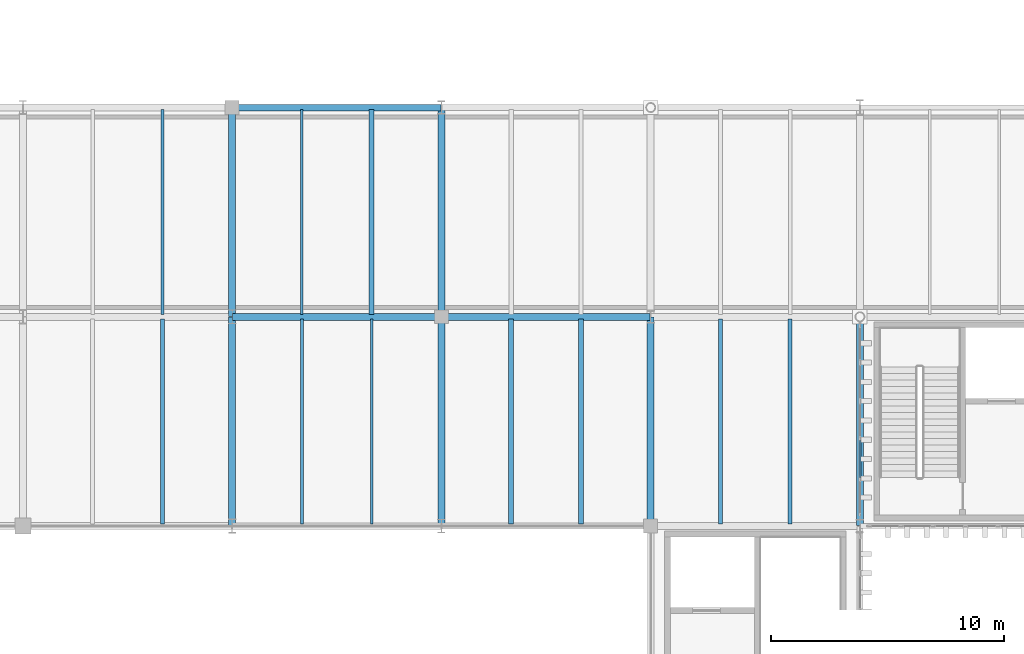
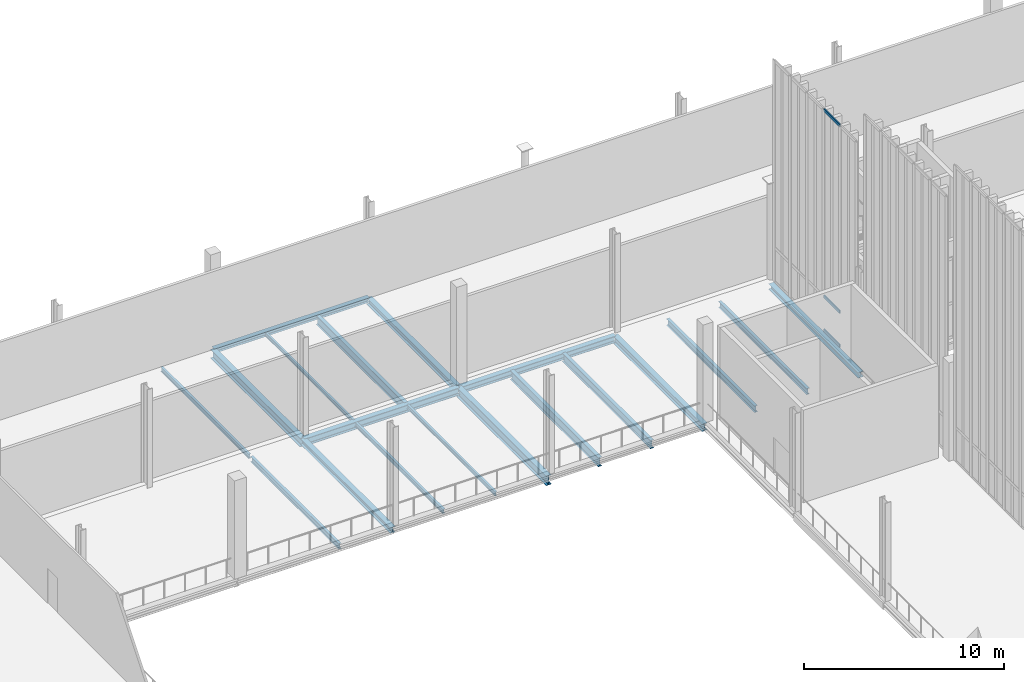
# One storey, part 71 of 237: 19 beams, 3 members, 1 element without a shape of its own.
"""IFC4 building model written with IfcOpenShell, lengths in metres."""

from ifc_helpers import new_model, si_unit, direction, frame, origin, origin_2d, place, context, subcontext, project, spatial, hollow_rectangle, i_section, extrude, material, layer, layer_set, material_profile, profile_set, type_object, element, aggregate, save


model = new_model("IFC4")

# Units and contexts
model_context = context("Model", 3, precision=1e-05, world=origin(), true_north=direction((0.0, 1.0)))
body_context = subcontext(model_context, "Body", "Model", "MODEL_VIEW")
ifc_project = project(units=[si_unit("LENGTHUNIT", "METRE"), si_unit("AREAUNIT", "SQUARE_METRE"), si_unit("VOLUMEUNIT", "CUBIC_METRE"), si_unit("PLANEANGLEUNIT", "RADIAN"), si_unit("MASSUNIT", "GRAM", prefix="KILO")], contexts=[model_context])

# Site, building, storey
site_placement = place(None, origin())
site = spatial("IfcSite", under=ifc_project, at=site_placement, CompositionType="ELEMENT")
building_placement = place(site_placement, origin())
building = spatial("IfcBuilding", under=site, at=building_placement, Name="Barlavento Convention Centre", CompositionType="ELEMENT")
storey_placement = place(building_placement, frame((0.0, 0.0, 12.0)))
storey = spatial("IfcBuildingStorey", under=building, at=storey_placement, Name="L02", CompositionType="ELEMENT", Elevation=12.0)

# Curtain wall, members
ifc_material_1 = material(Name="Powder-coated aluminium and Low-E glass", Category="aluminium")
ifc_layer = layer(ifc_material_1, 0.18994140625)
ifc_layer_set = layer_set([ifc_layer], Name="ARC-CW-CONG-L02")
curtain_wall_type = type_object("IfcCurtainWallType", Name="ARC-CW-CONG-L02", PredefinedType="NOTDEFINED", material=ifc_layer_set)
curtain_wall_placement = place(storey_placement, origin())
curtain_wall = element("IfcCurtainWall", 1, at=curtain_wall_placement, inside=storey, type_object=curtain_wall_type, Name="L02 unitised curtain wall CW02", PredefinedType="NOTDEFINED")
ifc_material_2 = material(Name="Powder-coated aluminium", Category="aluminium")
ifc_material_profile_1 = material_profile(ifc_material_2, hollow_rectangle(XDim=0.070068359375, YDim=0.179931640625, WallThickness=0.0048828125, at=origin_2d()), Name="AL-TRAN 70x180x5")
ifc_profile_set_1 = profile_set([ifc_material_profile_1], Name="Powder-coated aluminium")
member_type = type_object("IfcMemberType", Name="ARC-CWT-70X180", PredefinedType="USERDEFINED", material=ifc_profile_set_1)
member_1_placement = place(storey_placement, frame((63.0, 47.088623046875, 0.034912109375), z_axis=(0.0, 1.0, 0.0), x_axis=(-1.0, 0.0, 0.0)))
member_1 = element("IfcMember", 2, at=member_1_placement, type_object=member_type, Name="CW02 transom 2.1", ObjectType="TRANSOM", PredefinedType="USERDEFINED", context=body_context, shape_type="SweptSolid", body=[
    extrude(hollow_rectangle(XDim=0.070068359375, YDim=0.179931640625, WallThickness=0.0048828125, at=origin_2d()), origin(), (0.0, 0.0, 1.0), 1.585205078125),
])
member_2_placement = place(storey_placement, frame((63.0, 47.088623046875, 2.10009765625), z_axis=(0.0, 1.0, 0.0), x_axis=(-1.0, 0.0, 0.0)))
member_2 = element("IfcMember", 3, at=member_2_placement, type_object=member_type, Name="CW02 transom 2.2", ObjectType="TRANSOM", PredefinedType="USERDEFINED", context=body_context, shape_type="SweptSolid", body=[
    extrude(hollow_rectangle(XDim=0.070068359375, YDim=0.179931640625, WallThickness=0.0048828125, at=origin_2d()), origin(), (0.0, 0.0, 1.0), 1.585205078125),
])
member_3_placement = place(storey_placement, frame((63.0, 47.088623046875, 13.468017578125), z_axis=(0.0, 1.0, 0.0), x_axis=(-1.0, 0.0, 0.0)))
member_3 = element("IfcMember", 4, at=member_3_placement, type_object=member_type, Name="CW02 transom 2.3", ObjectType="TRANSOM", PredefinedType="USERDEFINED", context=body_context, shape_type="SweptSolid", body=[
    extrude(hollow_rectangle(XDim=0.070068359375, YDim=0.179931640625, WallThickness=0.0048828125, at=origin_2d()), origin(), (0.0, 0.0, 1.0), 1.585205078125),
])
aggregate(curtain_wall, [member_1, member_2, member_3])

# Beams
ifc_material_3 = material(Name="Steel S355", Category="steel")
ifc_material_profile_2 = material_profile(ifc_material_3, i_section(OverallWidth=0.110107421875, OverallDepth=0.219970703125, WebThickness=0.005859375, FlangeThickness=0.00927734375, FilletRadius=0.011962890625, at=origin_2d()), Name="IPE 220")
ifc_profile_set_2 = profile_set([ifc_material_profile_2], Name="Steel S355")
beam_type_1 = type_object("IfcBeamType", Name="STR-BM-JST-IPE220", PredefinedType="JOIST", material=ifc_profile_set_2)
beam_1_placement = place(storey_placement, frame((39.0, 54.094970703125, -0.409912109375), z_axis=(0.0, 1.0, 0.0), x_axis=(-1.0, 0.0, 0.0)))
element("IfcBeam", 5, at=beam_1_placement, inside=storey, type_object=beam_type_1, Name="L02 composite floor joist SJ10", PredefinedType="JOIST", context=body_context, shape_type="SweptSolid", body=[
    extrude(i_section(OverallWidth=0.110107421875, OverallDepth=0.219970703125, WebThickness=0.005859375, FlangeThickness=0.00927734375, FilletRadius=0.011962890625, at=origin_2d()), origin(), (0.0, 0.0, 1.0), 8.81005859375),
])
ifc_material_profile_3 = material_profile(ifc_material_3, i_section(OverallWidth=0.1201171875, OverallDepth=0.239990234375, WebThickness=0.006103515625, FlangeThickness=0.009765625, FilletRadius=0.014892578125, at=origin_2d()), Name="IPE 240")
ifc_profile_set_3 = profile_set([ifc_material_profile_3], Name="Steel S355")
beam_type_2 = type_object("IfcBeamType", Name="STR-BM-JST-IPE240", PredefinedType="JOIST", material=ifc_profile_set_3)
beam_2_placement = place(storey_placement, frame((42.0, 45.094970703125, -0.419921875), z_axis=(0.0, 1.0, 0.0), x_axis=(-1.0, 0.0, 0.0)))
element("IfcBeam", 6, at=beam_2_placement, inside=storey, type_object=beam_type_2, Name="L02 composite floor joist SJ09", PredefinedType="JOIST", context=body_context, shape_type="SweptSolid", body=[
    extrude(i_section(OverallWidth=0.1201171875, OverallDepth=0.239990234375, WebThickness=0.006103515625, FlangeThickness=0.009765625, FilletRadius=0.014892578125, at=origin_2d()), origin(), (0.0, 0.0, 1.0), 8.81005859375),
])
ifc_material_profile_4 = material_profile(ifc_material_3, i_section(OverallWidth=0.135009765625, OverallDepth=0.27001953125, WebThickness=0.006591796875, FlangeThickness=0.01025390625, FilletRadius=0.014892578125, at=origin_2d()), Name="IPE 270")
ifc_profile_set_4 = profile_set([ifc_material_profile_4], Name="Steel S355")
beam_type_3 = type_object("IfcBeamType", Name="STR-BM-JST-IPE270", PredefinedType="JOIST", material=ifc_profile_set_4)
for number, where, z_axis, x_axis, name in (
    (7, (39.0, 45.094970703125, -0.43505859375), (0.0, 1.0, 0.0), (-1.0, 0.0, 0.0), "L02 composite floor joist SJ08"),
    (8, (33.0, 54.094970703125, -0.43505859375), (0.0, 1.0, 0.0), (-1.0, 0.0, 0.0), "L02 composite floor joist SJ08"),
):
    element("IfcBeam", number, at=place(storey_placement, frame(where, z_axis=z_axis, x_axis=x_axis)), inside=storey, type_object=beam_type_3, Name=name, PredefinedType="JOIST", context=body_context, shape_type="SweptSolid", body=[
        extrude(i_section(OverallWidth=0.135009765625, OverallDepth=0.27001953125, WebThickness=0.006591796875, FlangeThickness=0.01025390625, FilletRadius=0.014892578125, at=origin_2d()), origin(), (0.0, 0.0, 1.0), 8.81005859375),
    ])
ifc_material_profile_5 = material_profile(ifc_material_3, i_section(OverallWidth=0.159912109375, OverallDepth=0.330078125, WebThickness=0.007568359375, FlangeThickness=0.011474609375, FilletRadius=0.01806640625, at=origin_2d()), Name="IPE 330")
ifc_profile_set_5 = profile_set([ifc_material_profile_5], Name="Steel S355")
beam_type_4 = type_object("IfcBeamType", Name="STR-BM-JST-IPE330", PredefinedType="JOIST", material=ifc_profile_set_5)
beam_3_placement = place(storey_placement, frame((33.0, 45.094970703125, -0.465087890625), z_axis=(0.0, 1.0, 0.0), x_axis=(-1.0, 0.0, 0.0)))
element("IfcBeam", 9, at=beam_3_placement, inside=storey, type_object=beam_type_4, Name="L02 composite floor joist SJ06", PredefinedType="JOIST", context=body_context, shape_type="SweptSolid", body=[
    extrude(i_section(OverallWidth=0.159912109375, OverallDepth=0.330078125, WebThickness=0.007568359375, FlangeThickness=0.011474609375, FilletRadius=0.01806640625, at=origin_2d()), origin(), (0.0, 0.0, 1.0), 8.81005859375),
])
ifc_material_profile_6 = material_profile(ifc_material_3, i_section(OverallWidth=0.169921875, OverallDepth=0.360107421875, WebThickness=0.008056640625, FlangeThickness=0.0126953125, FilletRadius=0.01806640625, at=origin_2d()), Name="IPE 360")
ifc_profile_set_6 = profile_set([ifc_material_profile_6], Name="Steel S355")
beam_type_5 = type_object("IfcBeamType", Name="STR-BM-JST-IPE360", PredefinedType="JOIST", material=ifc_profile_set_6)
beam_4_placement = place(storey_placement, frame((60.0, 45.094970703125, -0.47998046875), z_axis=(0.0, 1.0, 0.0), x_axis=(-1.0, 0.0, 0.0)))
element("IfcBeam", 10, at=beam_4_placement, inside=storey, type_object=beam_type_5, Name="L02 composite floor joist SJ05", PredefinedType="JOIST", context=body_context, shape_type="SweptSolid", body=[
    extrude(i_section(OverallWidth=0.169921875, OverallDepth=0.360107421875, WebThickness=0.008056640625, FlangeThickness=0.0126953125, FilletRadius=0.01806640625, at=origin_2d()), origin(), (0.0, 0.0, 1.0), 8.81005859375),
])
ifc_material_profile_7 = material_profile(ifc_material_3, i_section(OverallWidth=0.179931640625, OverallDepth=0.39990234375, WebThickness=0.008544921875, FlangeThickness=0.013427734375, FilletRadius=0.02099609375, at=origin_2d()), Name="IPE 400")
ifc_profile_set_7 = profile_set([ifc_material_profile_7], Name="Steel S355")
beam_type_6 = type_object("IfcBeamType", Name="STR-BM-JST-IPE400", PredefinedType="JOIST", material=ifc_profile_set_7)
beam_5_placement = place(storey_placement, frame((57.0, 45.094970703125, -0.5), z_axis=(0.0, 1.0, 0.0), x_axis=(-1.0, 0.0, 0.0)))
element("IfcBeam", 11, at=beam_5_placement, inside=storey, type_object=beam_type_6, Name="L02 composite floor joist SJ04", PredefinedType="JOIST", context=body_context, shape_type="SweptSolid", body=[
    extrude(i_section(OverallWidth=0.179931640625, OverallDepth=0.39990234375, WebThickness=0.008544921875, FlangeThickness=0.013427734375, FilletRadius=0.02099609375, at=origin_2d()), origin(), (0.0, 0.0, 1.0), 8.81005859375),
])
ifc_material_profile_8 = material_profile(ifc_material_3, i_section(OverallWidth=0.199951171875, OverallDepth=0.5, WebThickness=0.01025390625, FlangeThickness=0.01611328125, FilletRadius=0.02099609375, at=origin_2d()), Name="IPE 500")
ifc_profile_set_8 = profile_set([ifc_material_profile_8], Name="Steel S355")
beam_type_7 = type_object("IfcBeamType", Name="STR-BM-JST-IPE500", PredefinedType="JOIST", material=ifc_profile_set_8)
beam_6_placement = place(storey_placement, frame((51.0, 45.094970703125, -0.550048828125), z_axis=(0.0, 1.0, 0.0), x_axis=(-1.0, 0.0, 0.0)))
element("IfcBeam", 12, at=beam_6_placement, inside=storey, type_object=beam_type_7, Name="L02 composite floor joist SJ02", PredefinedType="JOIST", context=body_context, shape_type="SweptSolid", body=[
    extrude(i_section(OverallWidth=0.199951171875, OverallDepth=0.5, WebThickness=0.01025390625, FlangeThickness=0.01611328125, FilletRadius=0.02099609375, at=origin_2d()), origin(), (0.0, 0.0, 1.0), 8.81005859375),
])
ifc_material_profile_9 = material_profile(ifc_material_3, i_section(OverallWidth=0.2099609375, OverallDepth=0.550048828125, WebThickness=0.010986328125, FlangeThickness=0.01708984375, FilletRadius=0.02392578125, at=origin_2d()), Name="IPE 550")
ifc_profile_set_9 = profile_set([ifc_material_profile_9], Name="Steel S355")
beam_type_8 = type_object("IfcBeamType", Name="STR-BM-JST-IPE550", PredefinedType="JOIST", material=ifc_profile_set_9)
for number, where, z_axis, x_axis, name in (
    (13, (48.0, 45.094970703125, -0.574951171875), (0.0, 1.0, 0.0), (-1.0, 0.0, 0.0), "L02 composite floor joist SJ01"),
    (14, (42.0, 54.094970703125, -0.574951171875), (0.0, 1.0, 0.0), (-1.0, 0.0, 0.0), "L02 composite floor joist SJ01"),
):
    element("IfcBeam", number, at=place(storey_placement, frame(where, z_axis=z_axis, x_axis=x_axis)), inside=storey, type_object=beam_type_8, Name=name, PredefinedType="JOIST", context=body_context, shape_type="SweptSolid", body=[
        extrude(i_section(OverallWidth=0.2099609375, OverallDepth=0.550048828125, WebThickness=0.010986328125, FlangeThickness=0.01708984375, FilletRadius=0.02392578125, at=origin_2d()), origin(), (0.0, 0.0, 1.0), 8.81005859375),
    ])
ifc_material_profile_10 = material_profile(ifc_material_3, i_section(OverallWidth=0.300048828125, OverallDepth=0.330078125, WebThickness=0.009521484375, FlangeThickness=0.0166015625, FilletRadius=0.027099609375, at=origin_2d()), Name="HEA 340")
ifc_profile_set_10 = profile_set([ifc_material_profile_10], Name="Steel S355")
beam_type_9 = type_object("IfcBeamType", Name="STR-BM-PRI-HEA340", PredefinedType="BEAM", material=ifc_profile_set_10)
beam_7_placement = place(storey_placement, frame((63.0, 45.02001953125, -0.465087890625), z_axis=(0.0, 1.0, 0.0), x_axis=(-1.0, 0.0, 0.0)))
element("IfcBeam", 15, at=beam_7_placement, inside=storey, type_object=beam_type_9, Name="L02 grid girder BG24", PredefinedType="BEAM", context=body_context, shape_type="SweptSolid", body=[
    extrude(i_section(OverallWidth=0.300048828125, OverallDepth=0.330078125, WebThickness=0.009521484375, FlangeThickness=0.0166015625, FilletRadius=0.027099609375, at=origin_2d()), origin(), (0.0, 0.0, 1.0), 8.9599609375),
])
ifc_material_profile_11 = material_profile(ifc_material_3, i_section(OverallWidth=0.300048828125, OverallDepth=0.35009765625, WebThickness=0.010009765625, FlangeThickness=0.017578125, FilletRadius=0.027099609375, at=origin_2d()), Name="HEA 360")
ifc_profile_set_11 = profile_set([ifc_material_profile_11], Name="Steel S355")
beam_type_10 = type_object("IfcBeamType", Name="STR-BM-PRI-HEA360", PredefinedType="BEAM", material=ifc_profile_set_11)
beam_8_placement = place(storey_placement, frame((36.0, 45.02001953125, -0.47509765625), z_axis=(0.0, 1.0, 0.0), x_axis=(-1.0, 0.0, 0.0)))
element("IfcBeam", 16, at=beam_8_placement, inside=storey, type_object=beam_type_10, Name="L02 grid girder BG23", PredefinedType="BEAM", context=body_context, shape_type="SweptSolid", body=[
    extrude(i_section(OverallWidth=0.300048828125, OverallDepth=0.35009765625, WebThickness=0.010009765625, FlangeThickness=0.017578125, FilletRadius=0.027099609375, at=origin_2d()), origin(), (0.0, 0.0, 1.0), 8.9599609375),
])
ifc_material_profile_12 = material_profile(ifc_material_3, i_section(OverallWidth=0.300048828125, OverallDepth=0.389892578125, WebThickness=0.010986328125, FlangeThickness=0.01904296875, FilletRadius=0.027099609375, at=origin_2d()), Name="HEA 400")
ifc_profile_set_12 = profile_set([ifc_material_profile_12], Name="Steel S355")
beam_type_11 = type_object("IfcBeamType", Name="STR-BM-PRI-HEA400", PredefinedType="BEAM", material=ifc_profile_set_12)
beam_9_placement = place(storey_placement, frame((45.0, 54.02001953125, -0.4951171875), z_axis=(0.0, 1.0, 0.0), x_axis=(-1.0, 0.0, 0.0)))
element("IfcBeam", 17, at=beam_9_placement, inside=storey, type_object=beam_type_11, Name="L02 grid girder BG22", PredefinedType="BEAM", context=body_context, shape_type="SweptSolid", body=[
    extrude(i_section(OverallWidth=0.300048828125, OverallDepth=0.389892578125, WebThickness=0.010986328125, FlangeThickness=0.01904296875, FilletRadius=0.027099609375, at=origin_2d()), origin(), (0.0, 0.0, 1.0), 8.9599609375),
])
ifc_material_profile_13 = material_profile(ifc_material_3, i_section(OverallWidth=0.300048828125, OverallDepth=0.43994140625, WebThickness=0.011474609375, FlangeThickness=0.02099609375, FilletRadius=0.027099609375, at=origin_2d()), Name="HEA 450")
ifc_profile_set_13 = profile_set([ifc_material_profile_13], Name="Steel S355")
beam_type_12 = type_object("IfcBeamType", Name="STR-BM-PRI-HEA450", PredefinedType="BEAM", material=ifc_profile_set_13)
beam_10_placement = place(storey_placement, frame((54.0, 45.02001953125, -0.52001953125), z_axis=(0.0, 1.0, 0.0), x_axis=(-1.0, 0.0, 0.0)))
element("IfcBeam", 18, at=beam_10_placement, inside=storey, type_object=beam_type_12, Name="L02 grid girder BG21", PredefinedType="BEAM", context=body_context, shape_type="SweptSolid", body=[
    extrude(i_section(OverallWidth=0.300048828125, OverallDepth=0.43994140625, WebThickness=0.011474609375, FlangeThickness=0.02099609375, FilletRadius=0.027099609375, at=origin_2d()), origin(), (0.0, 0.0, 1.0), 8.9599609375),
])
ifc_material_profile_14 = material_profile(ifc_material_3, i_section(OverallWidth=0.300048828125, OverallDepth=0.5400390625, WebThickness=0.012451171875, FlangeThickness=0.02392578125, FilletRadius=0.027099609375, at=origin_2d()), Name="HEA 550")
ifc_profile_set_14 = profile_set([ifc_material_profile_14], Name="Steel S355")
beam_type_13 = type_object("IfcBeamType", Name="STR-BM-PRI-HEA550", PredefinedType="BEAM", material=ifc_profile_set_14)
beam_11_placement = place(storey_placement, frame((36.0, 54.02001953125, -0.570068359375), z_axis=(0.0, 1.0, 0.0), x_axis=(-1.0, 0.0, 0.0)))
element("IfcBeam", 19, at=beam_11_placement, inside=storey, type_object=beam_type_13, Name="L02 grid girder BG19", PredefinedType="BEAM", context=body_context, shape_type="SweptSolid", body=[
    extrude(i_section(OverallWidth=0.300048828125, OverallDepth=0.5400390625, WebThickness=0.012451171875, FlangeThickness=0.02392578125, FilletRadius=0.027099609375, at=origin_2d()), origin(), (0.0, 0.0, 1.0), 8.9599609375),
])
ifc_material_profile_15 = material_profile(ifc_material_3, i_section(OverallWidth=0.300048828125, OverallDepth=0.590087890625, WebThickness=0.012939453125, FlangeThickness=0.02490234375, FilletRadius=0.027099609375, at=origin_2d()), Name="HEA 600")
ifc_profile_set_15 = profile_set([ifc_material_profile_15], Name="Steel S355")
beam_type_14 = type_object("IfcBeamType", Name="STR-BM-PRI-HEA600", PredefinedType="BEAM", material=ifc_profile_set_15)
beam_12_placement = place(storey_placement, frame((45.0, 45.02001953125, -0.594970703125), z_axis=(0.0, 1.0, 0.0), x_axis=(-1.0, 0.0, 0.0)))
element("IfcBeam", 20, at=beam_12_placement, inside=storey, type_object=beam_type_14, Name="L02 grid girder BG18", PredefinedType="BEAM", context=body_context, shape_type="SweptSolid", body=[
    extrude(i_section(OverallWidth=0.300048828125, OverallDepth=0.590087890625, WebThickness=0.012939453125, FlangeThickness=0.02490234375, FilletRadius=0.027099609375, at=origin_2d()), origin(), (0.0, 0.0, 1.0), 8.9599609375),
])
ifc_material_profile_16 = material_profile(ifc_material_3, i_section(OverallWidth=0.300048828125, OverallDepth=0.39990234375, WebThickness=0.013427734375, FlangeThickness=0.02392578125, FilletRadius=0.027099609375, at=origin_2d()), Name="HEB 400")
ifc_profile_set_16 = profile_set([ifc_material_profile_16], Name="Steel S355")
beam_type_15 = type_object("IfcBeamType", Name="STR-BM-PRI-HEB400", PredefinedType="BEAM", material=ifc_profile_set_16)
beam_13_placement = place(storey_placement, frame((45.02001953125, 54.0, -0.5), z_axis=(1.0, 0.0, 0.0), x_axis=(0.0, 1.0, 0.0)))
element("IfcBeam", 21, at=beam_13_placement, inside=storey, type_object=beam_type_15, Name="L02 primary girder BG11", PredefinedType="BEAM", context=body_context, shape_type="SweptSolid", body=[
    extrude(i_section(OverallWidth=0.300048828125, OverallDepth=0.39990234375, WebThickness=0.013427734375, FlangeThickness=0.02392578125, FilletRadius=0.027099609375, at=origin_2d()), origin(), (0.0, 0.0, 1.0), 8.9599609375),
])
ifc_material_profile_17 = material_profile(ifc_material_3, i_section(OverallWidth=0.300048828125, OverallDepth=0.449951171875, WebThickness=0.013916015625, FlangeThickness=0.02587890625, FilletRadius=0.027099609375, at=origin_2d()), Name="HEB 450")
ifc_profile_set_17 = profile_set([ifc_material_profile_17], Name="Steel S355")
beam_type_16 = type_object("IfcBeamType", Name="STR-BM-PRI-HEB450", PredefinedType="BEAM", material=ifc_profile_set_17)
beam_14_placement = place(storey_placement, frame((36.02001953125, 54.0, -0.52490234375), z_axis=(1.0, 0.0, 0.0), x_axis=(0.0, 1.0, 0.0)))
element("IfcBeam", 22, at=beam_14_placement, inside=storey, type_object=beam_type_16, Name="L02 primary girder BG10", PredefinedType="BEAM", context=body_context, shape_type="SweptSolid", body=[
    extrude(i_section(OverallWidth=0.300048828125, OverallDepth=0.449951171875, WebThickness=0.013916015625, FlangeThickness=0.02587890625, FilletRadius=0.027099609375, at=origin_2d()), origin(), (0.0, 0.0, 1.0), 8.9599609375),
])
ifc_material_profile_18 = material_profile(ifc_material_3, i_section(OverallWidth=0.280029296875, OverallDepth=0.27001953125, WebThickness=0.008056640625, FlangeThickness=0.012939453125, FilletRadius=0.02392578125, at=origin_2d()), Name="HEA 280")
ifc_profile_set_18 = profile_set([ifc_material_profile_18], Name="Steel S355")
beam_type_17 = type_object("IfcBeamType", Name="STR-BM-SPN-HEA280", PredefinedType="SPANDREL", material=ifc_profile_set_18)
beam_15_placement = place(storey_placement, frame((36.02001953125, 63.0, -0.4150390625), z_axis=(1.0, 0.0, 0.0), x_axis=(0.0, 1.0, 0.0)))
element("IfcBeam", 23, at=beam_15_placement, inside=storey, type_object=beam_type_17, Name="L02 primary girder SP03", PredefinedType="SPANDREL", context=body_context, shape_type="SweptSolid", body=[
    extrude(i_section(OverallWidth=0.280029296875, OverallDepth=0.27001953125, WebThickness=0.008056640625, FlangeThickness=0.012939453125, FilletRadius=0.02392578125, at=origin_2d()), origin(), (0.0, 0.0, 1.0), 8.9599609375),
])

save(model, "model.ifc")
